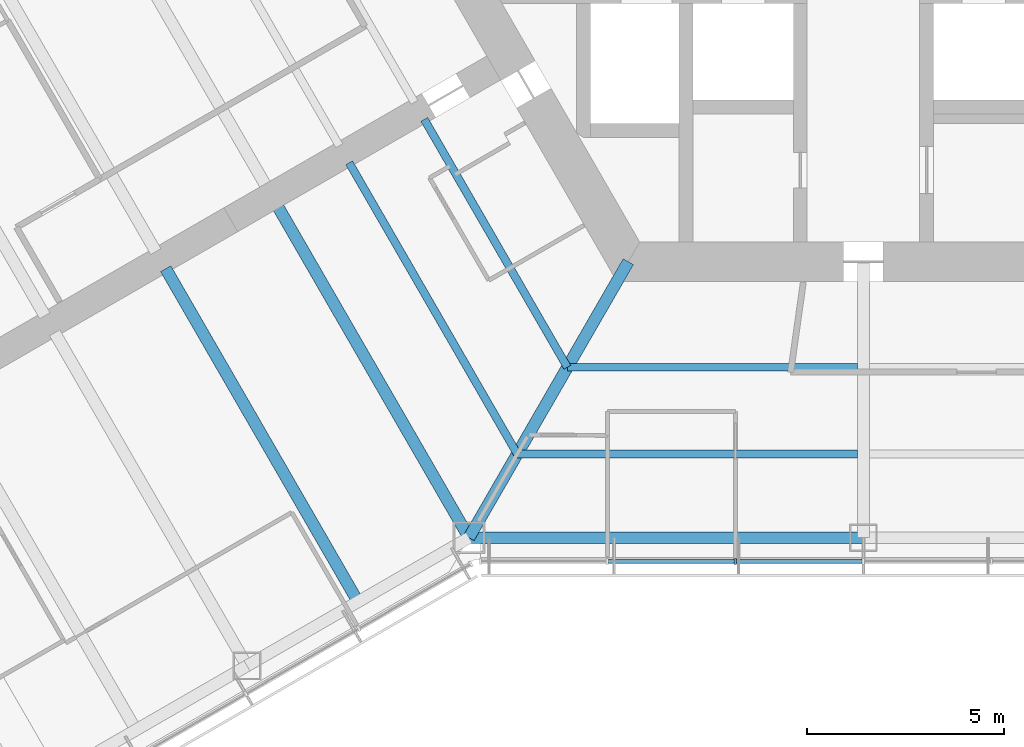
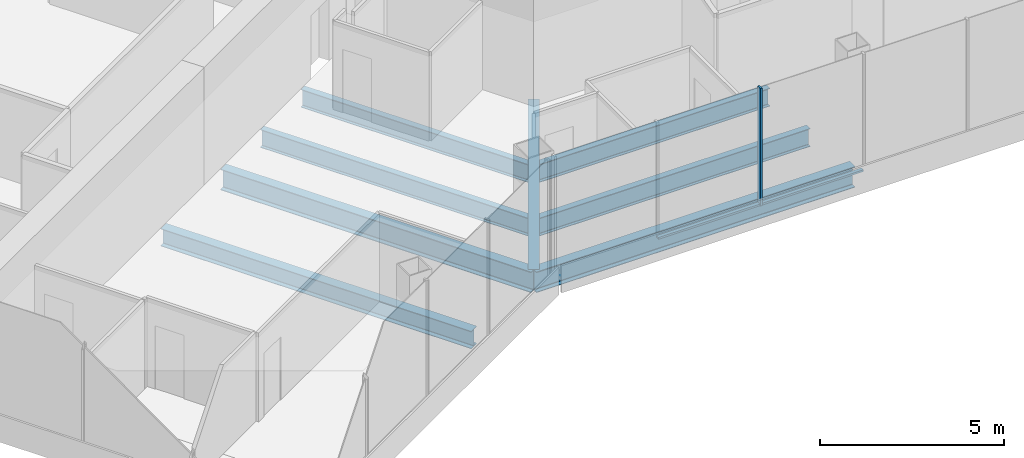
# One storey, part 3 of 18: 8 beams, 3 members, 1 element without a shape of its own.
"""IFC4 building model written with IfcOpenShell, lengths in metres."""

from ifc_helpers import new_model, si_unit, direction, frame, origin, origin_2d, place, context, subcontext, project, spatial, rectangle, i_section, extrude, material, material_profile, profile_set, type_object, element, aggregate, save


model = new_model("IFC4")

# Units and contexts
model_context = context("Model", 3, precision=1e-05, world=origin(), true_north=direction((0.0, 1.0)))
body_context = subcontext(model_context, "Body", "Model", "MODEL_VIEW")
ifc_project = project(units=[si_unit("LENGTHUNIT", "METRE"), si_unit("AREAUNIT", "SQUARE_METRE"), si_unit("VOLUMEUNIT", "CUBIC_METRE"), si_unit("PLANEANGLEUNIT", "RADIAN"), si_unit("MASSUNIT", "GRAM", prefix="KILO")], contexts=[model_context])

# Site, building, storey
site_placement = place(None, origin())
site = spatial("IfcSite", under=ifc_project, at=site_placement, CompositionType="ELEMENT")
building_placement = place(site_placement, origin())
building = spatial("IfcBuilding", under=site, at=building_placement, Name="Kasaneha Research Tower", CompositionType="ELEMENT")
storey_placement = place(building_placement, frame((0.0, 0.0, 191.60009765625)))
storey = spatial("IfcBuildingStorey", under=building, at=storey_placement, Name="L48", CompositionType="ELEMENT", Elevation=191.60009765625)

# Beams
ifc_material_1 = material(Name="Steel SN490B", Category="steel")
ifc_material_profile_1 = material_profile(ifc_material_1, i_section(OverallWidth=0.199951171875, OverallDepth=0.60009765625, WebThickness=0.010986328125, FlangeThickness=0.01708984375, FilletRadius=0.012939453125, at=origin_2d()), Name="H-600x200x11x17")
ifc_profile_set_1 = profile_set([ifc_material_profile_1], Name="Steel SN490B")
beam_type_1 = type_object("IfcBeamType", Name="B1-3 secondary beam H-600x200x11x17", PredefinedType="JOIST", material=ifc_profile_set_1)
beam_1_placement = place(storey_placement, frame((-7.505615234375, -13.0, -0.4501953125), z_axis=(-0.499993340521, 0.866029248602, 0.0), x_axis=(-0.866029248602, -0.499993340521, 0.0)))
element("IfcBeam", 1, at=beam_1_placement, inside=storey, type_object=beam_type_1, Name="Secondary beam RS210R1 L48", PredefinedType="JOIST", context=body_context, shape_type="SweptSolid", body=[
    extrude(i_section(OverallWidth=0.199951171875, OverallDepth=0.60009765625, WebThickness=0.010986328125, FlangeThickness=0.01708984375, FilletRadius=0.012939453125, at=origin_2d()), origin(), (0.0, 0.0, 1.0), 7.25537109375),
])
beam_2_placement = place(storey_placement, frame((-8.775634765625, -15.199951171875, -0.4501953125), z_axis=(-0.500004205306, 0.866022975836, 0.0), x_axis=(-0.866022975836, -0.500004205306, 0.0)))
element("IfcBeam", 2, at=beam_2_placement, inside=storey, type_object=beam_type_1, Name="Secondary beam RS210R2 L48", PredefinedType="JOIST", context=body_context, shape_type="SweptSolid", body=[
    extrude(i_section(OverallWidth=0.199951171875, OverallDepth=0.60009765625, WebThickness=0.010986328125, FlangeThickness=0.01708984375, FilletRadius=0.012939453125, at=origin_2d()), origin(), (0.0, 0.0, 1.0), 8.52587890625),
])
beam_3_placement = place(storey_placement, frame((-7.505615234375, -13.0, -0.4501953125), z_axis=(1.0, 0.0, 0.0), x_axis=(0.0, 1.0, 0.0)))
element("IfcBeam", 3, at=beam_3_placement, inside=storey, type_object=beam_type_1, Name="Secondary beam RS270L1 L48", PredefinedType="JOIST", context=body_context, shape_type="SweptSolid", body=[
    extrude(i_section(OverallWidth=0.199951171875, OverallDepth=0.60009765625, WebThickness=0.010986328125, FlangeThickness=0.01708984375, FilletRadius=0.012939453125, at=origin_2d()), origin(), (0.0, 0.0, 1.0), 7.355712890625),
])
beam_4_placement = place(storey_placement, frame((-8.775634765625, -15.199951171875, -0.4501953125), z_axis=(1.0, 0.0, 0.0), x_axis=(0.0, 1.0, 0.0)))
element("IfcBeam", 4, at=beam_4_placement, inside=storey, type_object=beam_type_1, Name="Secondary beam RS270L2 L48", PredefinedType="JOIST", context=body_context, shape_type="SweptSolid", body=[
    extrude(i_section(OverallWidth=0.199951171875, OverallDepth=0.60009765625, WebThickness=0.010986328125, FlangeThickness=0.01708984375, FilletRadius=0.012939453125, at=origin_2d()), origin(), (0.0, 0.0, 1.0), 8.625732421875),
])
ifc_material_2 = material(Name="Steel SN490B", Category="steel")
ifc_material_profile_2 = material_profile(ifc_material_2, i_section(OverallWidth=0.300048828125, OverallDepth=0.58203125, WebThickness=0.011962890625, FlangeThickness=0.01708984375, FilletRadius=0.012939453125, at=origin_2d()), Name="H-582x300x12x17")
ifc_profile_set_2 = profile_set([ifc_material_profile_2], Name="Steel SN490B")
beam_type_2 = type_object("IfcBeamType", Name="B2-3 secondary beam H-582x300x12x17", PredefinedType="JOIST", material=ifc_profile_set_2)
beam_5_placement = place(storey_placement, frame((-12.814697265625, -18.945556640625, -0.441162109375), z_axis=(-0.499995560238, 0.866027967067, 0.0), x_axis=(-0.866027967067, -0.499995560238, 0.0)))
element("IfcBeam", 5, at=beam_5_placement, inside=storey, type_object=beam_type_2, Name="Secondary beam WBBN1 L48", PredefinedType="JOIST", context=body_context, shape_type="SweptSolid", body=[
    extrude(i_section(OverallWidth=0.300048828125, OverallDepth=0.58203125, WebThickness=0.011962890625, FlangeThickness=0.01708984375, FilletRadius=0.012939453125, at=origin_2d()), origin(), (0.0, 0.0, 1.0), 9.75),
])

# Curtain wall, members
ifc_material_3 = material(Name="Glass and aluminium", Category="aluminium")
curtain_wall_type = type_object("IfcCurtainWallType", Name="Mid-rise office curtain wall", PredefinedType="USERDEFINED", material=ifc_material_3)
curtain_wall_placement = place(storey_placement, origin())
curtain_wall = element("IfcCurtainWall", 6, at=curtain_wall_placement, inside=storey, type_object=curtain_wall_type, Name="CW-O2 L48 run 01a", ObjectType="UNITISED CURTAIN WALL", PredefinedType="USERDEFINED")
ifc_material_4 = material(Name="Aluminium 6063-T6", Category="aluminium")
ifc_material_profile_3 = material_profile(ifc_material_4, rectangle(XDim=0.06005859375, YDim=0.14990234375, at=origin_2d()), Name="CW-O2 mullion 60x150")
ifc_profile_set_3 = profile_set([ifc_material_profile_3], Name="Aluminium 6063-T6")
member_type_1 = type_object("IfcMemberType", Name="CW-O2 mullion", PredefinedType="MULLION", material=ifc_profile_set_3)
member_1_placement = place(storey_placement, frame((-3.246337890625, -17.92041015625, 0.0), z_axis=(0.0, 0.0, 1.0), x_axis=(1.0, 0.0, 0.0)))
member_1 = element("IfcMember", 7, at=member_1_placement, type_object=member_type_1, Name="CW-O2 mullion 3", PredefinedType="MULLION", context=body_context, shape_type="SweptSolid", body=[
    extrude(rectangle(XDim=0.06005859375, YDim=0.14990234375, at=origin_2d()), origin(), (0.0, 0.0, 1.0), 3.89990234375),
])
ifc_material_5 = material(Name="Aluminium 6063-T6", Category="aluminium")
ifc_material_profile_4 = material_profile(ifc_material_5, rectangle(XDim=0.110107421875, YDim=0.06005859375, at=origin_2d()), Name="CW-O2 transom 110x60")
ifc_profile_set_4 = profile_set([ifc_material_profile_4], Name="Aluminium 6063-T6")
member_type_2 = type_object("IfcMemberType", Name="CW-O2 transom", PredefinedType="USERDEFINED", material=ifc_profile_set_4)
member_2_placement = place(storey_placement, frame((-6.462890625, -17.92041015625, 0.02978515625), z_axis=(1.0, 0.0, 0.0), x_axis=(0.0, 1.0, 0.0)))
member_2 = element("IfcMember", 8, at=member_2_placement, type_object=member_type_2, Name="CW-O2 transom 2", ObjectType="TRANSOM", PredefinedType="USERDEFINED", context=body_context, shape_type="SweptSolid", body=[
    extrude(rectangle(XDim=0.110107421875, YDim=0.06005859375, at=origin_2d()), origin(), (0.0, 0.0, 1.0), 3.1865234375),
])
member_3_placement = place(storey_placement, frame((-3.21630859375, -17.92041015625, 0.02978515625), z_axis=(1.0, 0.0, 0.0), x_axis=(0.0, 1.0, 0.0)))
member_3 = element("IfcMember", 9, at=member_3_placement, type_object=member_type_2, Name="CW-O2 transom 3", ObjectType="TRANSOM", PredefinedType="USERDEFINED", context=body_context, shape_type="SweptSolid", body=[
    extrude(rectangle(XDim=0.110107421875, YDim=0.06005859375, at=origin_2d()), origin(), (0.0, 0.0, 1.0), 3.186279296875),
])
aggregate(curtain_wall, [member_1, member_2, member_3])

# Beams
ifc_material_6 = material(Name="Steel SN490B", Category="steel")
ifc_material_profile_5 = material_profile(ifc_material_6, i_section(OverallWidth=0.300048828125, OverallDepth=0.699951171875, WebThickness=0.012939453125, FlangeThickness=0.02392578125, FilletRadius=0.01806640625, at=origin_2d()), Name="H-700x300x13x24")
ifc_profile_set_5 = profile_set([ifc_material_profile_5], Name="Steel SN490B")
beam_type_3 = type_object("IfcBeamType", Name="G1-3 radial girder H-700x300x13x24", PredefinedType="BEAM", material=ifc_profile_set_5)
beam_6_placement = place(storey_placement, frame((-5.961181640625, -10.324951171875, -0.5), z_axis=(-0.49999105496, -0.866030568144, 0.0), x_axis=(0.866030568144, -0.49999105496, 0.0)))
element("IfcBeam", 10, at=beam_6_placement, inside=storey, type_object=beam_type_3, Name="Radial girder RV240 L48", PredefinedType="BEAM", context=body_context, shape_type="SweptSolid", body=[
    extrude(i_section(OverallWidth=0.300048828125, OverallDepth=0.699951171875, WebThickness=0.012939453125, FlangeThickness=0.02392578125, FilletRadius=0.01806640625, at=origin_2d()), origin(), (0.0, 0.0, 1.0), 8.077880859375),
])
ifc_material_7 = material(Name="Steel SN490B", Category="steel")
ifc_material_profile_6 = material_profile(ifc_material_7, i_section(OverallWidth=0.300048828125, OverallDepth=0.69189453125, WebThickness=0.012939453125, FlangeThickness=0.02001953125, FilletRadius=0.01806640625, at=origin_2d()), Name="H-692x300x13x20")
ifc_profile_set_6 = profile_set([ifc_material_profile_6], Name="Steel SN490B")
beam_type_4 = type_object("IfcBeamType", Name="G3-3 plate edge girder H-692x300x13x20", PredefinedType="BEAM", material=ifc_profile_set_6)
beam_7_placement = place(storey_placement, frame((-10.0, -17.320556640625, -0.49609375), z_axis=(-0.499995560238, 0.866027967067, 0.0), x_axis=(-0.866027967067, -0.499995560238, 0.0)))
element("IfcBeam", 11, at=beam_7_placement, inside=storey, type_object=beam_type_4, Name="Plate edge girder PEBN L48", PredefinedType="BEAM", context=body_context, shape_type="SweptSolid", body=[
    extrude(i_section(OverallWidth=0.300048828125, OverallDepth=0.69189453125, WebThickness=0.012939453125, FlangeThickness=0.02001953125, FilletRadius=0.01806640625, at=origin_2d()), origin(), (0.0, 0.0, 1.0), 9.75),
])
ifc_material_8 = material(Name="Steel SN490B", Category="steel")
ifc_material_profile_7 = material_profile(ifc_material_8, i_section(OverallWidth=0.300048828125, OverallDepth=0.69189453125, WebThickness=0.012939453125, FlangeThickness=0.02001953125, FilletRadius=0.01806640625, at=origin_2d()), Name="H-692x300x13x20")
ifc_profile_set_7 = profile_set([ifc_material_profile_7], Name="Steel SN490B")
beam_type_5 = type_object("IfcBeamType", Name="SB1-3 spandrel beam H-692x300x13x20", PredefinedType="SPANDREL", material=ifc_profile_set_7)
beam_8_placement = place(storey_placement, frame((-10.0, -17.320556640625, -0.49609375), z_axis=(1.0, 0.0, 0.0), x_axis=(0.0, 1.0, 0.0)))
element("IfcBeam", 12, at=beam_8_placement, inside=storey, type_object=beam_type_5, Name="Spandrel beam SR270L L48", PredefinedType="SPANDREL", context=body_context, shape_type="SweptSolid", body=[
    extrude(i_section(OverallWidth=0.300048828125, OverallDepth=0.69189453125, WebThickness=0.012939453125, FlangeThickness=0.02001953125, FilletRadius=0.01806640625, at=origin_2d()), origin(), (0.0, 0.0, 1.0), 10.0),
])

save(model, "model.ifc")
